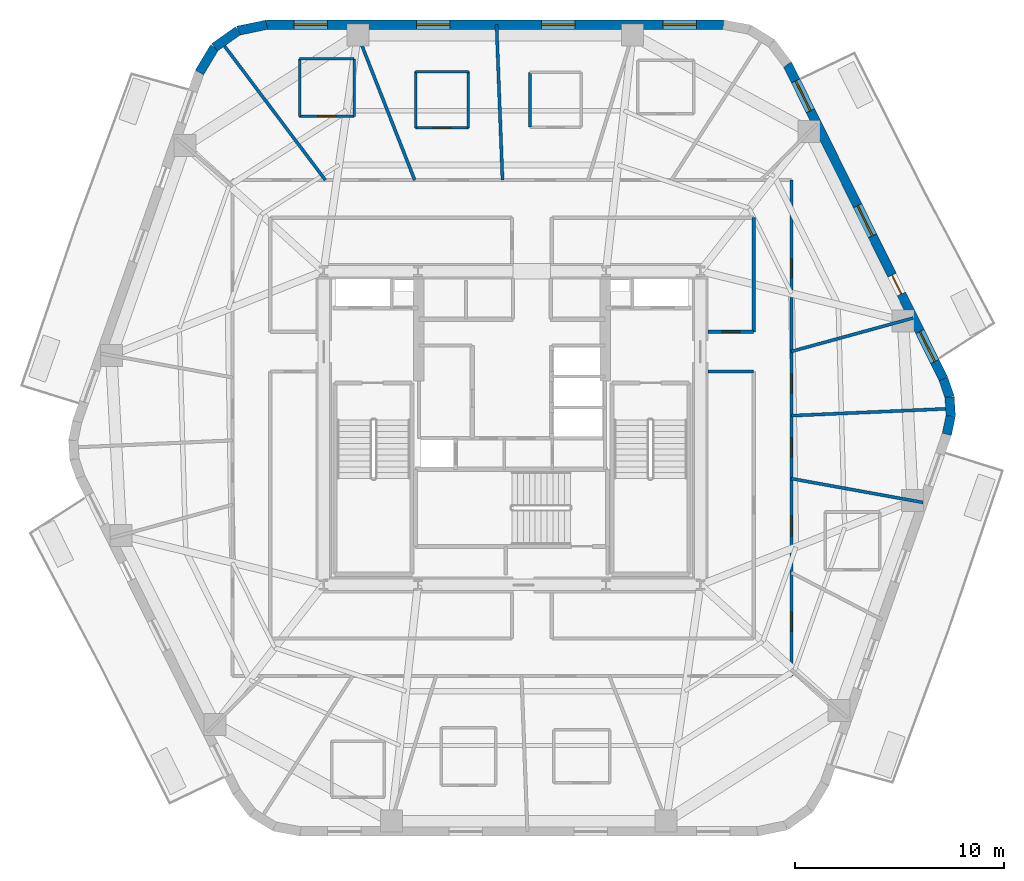
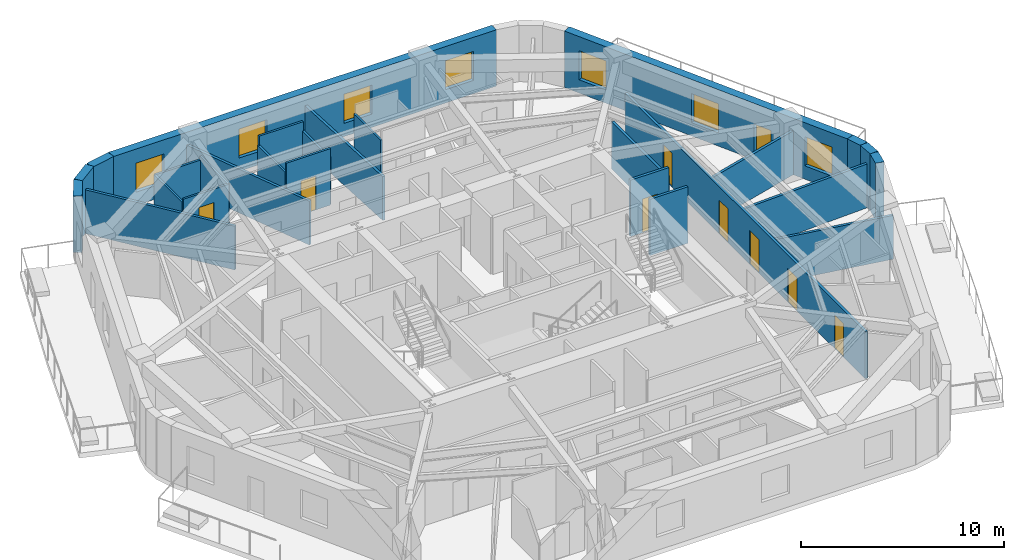
# One storey, part 6 of 10: 27 walls, 9 doors, 7 windows, 16 openings.
"""IFC4 building model written with IfcOpenShell, lengths in metres."""

from ifc_helpers import new_model, si_unit, direction, frame, frame_2d, origin, place, context, subcontext, project, spatial, rectangle, extrude, material, layer, layer_set, type_object, element, fill, save


model = new_model("IFC4")

# Units and contexts
model_context = context("Model", 3, precision=1e-05, world=origin(), true_north=direction((0.0, 1.0)))
body_context = subcontext(model_context, "Body", "Model", "MODEL_VIEW")
ifc_project = project(units=[si_unit("LENGTHUNIT", "METRE"), si_unit("AREAUNIT", "SQUARE_METRE"), si_unit("VOLUMEUNIT", "CUBIC_METRE"), si_unit("PLANEANGLEUNIT", "RADIAN"), si_unit("MASSUNIT", "GRAM", prefix="KILO")], contexts=[model_context])

# Site, building, storey
site_placement = place(None, origin())
site = spatial("IfcSite", under=ifc_project, at=site_placement, CompositionType="ELEMENT")
building_placement = place(site_placement, origin())
building = spatial("IfcBuilding", under=site, at=building_placement, Name="Kilnhurst Terrace Hotel", CompositionType="ELEMENT")
storey_placement = place(building_placement, frame((0.0, 0.0, 179.300048828125)))
storey = spatial("IfcBuildingStorey", under=building, at=storey_placement, Name="L44", CompositionType="ELEMENT", Elevation=179.300048828125)

# Walls
ifc_material_1 = material(Name="Precast concrete C40/50", Category="concrete")
ifc_layer_1 = layer(ifc_material_1, 0.449951171875, Name="Precast concrete C40/50")
ifc_layer_set_1 = layer_set([ifc_layer_1], Name="Precast concrete C40/50")
wall_type_1 = type_object("IfcWallType", Name="WL-BRK-450", PredefinedType="SOLIDWALL", material=ifc_layer_set_1)
wall_1_placement = place(storey_placement, frame((20.78173828125, -0.298095703125, 0.0), z_axis=(0.0, 0.0, 1.0), x_axis=(0.202570068411, 0.979267771033, 0.0)))
element("IfcWall", 1, at=wall_1_placement, inside=storey, type_object=wall_type_1, Name="L44 Rounded Corner Brick Wall C3.1", PredefinedType="SOLIDWALL", context=body_context, shape_type="SweptSolid", body=[
    extrude(rectangle(XDim=0.90869140625, YDim=0.449951171875, at=frame_2d((0.454345703125, 0.0))), origin(), (0.0, 0.0, 1.0), 3.39990234375),
])
wall_2_placement = place(storey_placement, frame((20.9658203125, 0.591796875, 0.0), z_axis=(0.0, 0.0, 1.0), x_axis=(-0.061748898935, 0.998091715966, 0.0)))
element("IfcWall", 2, at=wall_2_placement, inside=storey, type_object=wall_type_1, Name="L44 Rounded Corner Brick Wall C3.2", PredefinedType="SOLIDWALL", context=body_context, shape_type="SweptSolid", body=[
    extrude(rectangle(XDim=0.8935546875, YDim=0.449951171875, at=frame_2d((0.44677734375, 0.0))), origin(), (0.0, 0.0, 1.0), 3.39990234375),
])
wall_3_placement = place(storey_placement, frame((20.91064453125, 1.483642578125, 0.0), z_axis=(0.0, 0.0, 1.0), x_axis=(-0.321623334353, 0.946867694453, 0.0)))
element("IfcWall", 3, at=wall_3_placement, inside=storey, type_object=wall_type_1, Name="L44 Rounded Corner Brick Wall C3.3", PredefinedType="SOLIDWALL", context=body_context, shape_type="SweptSolid", body=[
    extrude(rectangle(XDim=0.90869140625, YDim=0.449951171875, at=frame_2d((0.454345703125, 0.0))), origin(), (0.0, 0.0, 1.0), 3.39990234375),
])
wall_4_placement = place(storey_placement, frame((-11.720458984375, 19.27490234375, 0.0), z_axis=(0.0, 0.0, 1.0), x_axis=(-0.97893106758, -0.204191001093, 0.0)))
element("IfcWall", 4, at=wall_4_placement, inside=storey, type_object=wall_type_1, Name="L44 Rounded Corner Brick Wall C5.1", PredefinedType="SOLIDWALL", context=body_context, shape_type="SweptSolid", body=[
    extrude(rectangle(XDim=1.400146484375, YDim=0.449951171875, at=frame_2d((0.7001953125, 0.0))), origin(), (0.0, 0.0, 1.0), 3.39990234375),
])
wall_5_placement = place(storey_placement, frame((-13.091064453125, 18.989013671875, 0.0), z_axis=(0.0, 0.0, 1.0), x_axis=(-0.815574637848, -0.578651890258, 0.0)))
element("IfcWall", 5, at=wall_5_placement, inside=storey, type_object=wall_type_1, Name="L44 Rounded Corner Brick Wall C5.2", PredefinedType="SOLIDWALL", context=body_context, shape_type="SweptSolid", body=[
    extrude(rectangle(XDim=1.376708984375, YDim=0.449951171875, at=frame_2d((0.6884765625, 0.0))), origin(), (0.0, 0.0, 1.0), 3.39990234375),
])
wall_6_placement = place(storey_placement, frame((-14.2138671875, 18.1923828125, 0.0), z_axis=(0.0, 0.0, 1.0), x_axis=(-0.516340945502, -0.856383108193, 0.0)))
element("IfcWall", 6, at=wall_6_placement, inside=storey, type_object=wall_type_1, Name="L44 Rounded Corner Brick Wall C5.3", PredefinedType="SOLIDWALL", context=body_context, shape_type="SweptSolid", body=[
    extrude(rectangle(XDim=1.400146484375, YDim=0.449951171875, at=frame_2d((0.7001953125, 0.0))), origin(), (0.0, 0.0, 1.0), 3.39990234375),
])

# Wall, openings, door, windows
wall_7_placement = place(storey_placement, frame((20.618408203125, 2.343994140625, 0.0), z_axis=(0.0, 0.0, 1.0), x_axis=(-0.444243691097, 0.895905990002, 0.0)))
wall_7 = element("IfcWall", 7, at=wall_7_placement, inside=storey, type_object=wall_type_1, Name="L44 Exterior Brick Facade Wall F3", PredefinedType="SOLIDWALL", context=body_context, shape_type="SweptSolid", body=[
    extrude(rectangle(XDim=16.78369140625, YDim=0.449951171875, at=frame_2d((8.391845703125, 0.0))), origin(), (0.0, 0.0, 1.0), 3.39990234375),
])
opening_1_placement = place(wall_7_placement, frame((4.534912109375, 0.0, 0.0)))
opening_1 = element("IfcOpeningElement", 8, at=opening_1_placement, cuts=wall_7, Name="Opening BD-1000", PredefinedType="OPENING", context=body_context, shape_type="SweptSolid", body=[
    extrude(rectangle(XDim=1.0, YDim=2.14990234375, at=frame_2d((0.5, 1.074951171875))), frame((0.0, 0.23486328125, 0.0), z_axis=(0.0, -1.0, 0.0), x_axis=(1.0, 0.0, 0.0)), (0.0, 0.0, 1.0), 0.469970703125),
])
opening_2_placement = place(wall_7_placement, frame((0.930908203125, 0.0, 0.800048828125)))
opening_2 = element("IfcOpeningElement", 9, at=opening_2_placement, cuts=wall_7, Name="Opening W-05", PredefinedType="OPENING", context=body_context, shape_type="SweptSolid", body=[
    extrude(rectangle(XDim=1.60009765625, YDim=1.75, at=frame_2d((0.800048828125, 0.875))), frame((0.0, 0.23486328125, 0.0), z_axis=(0.0, -1.0, 0.0), x_axis=(1.0, 0.0, 0.0)), (0.0, 0.0, 1.0), 0.469970703125),
])
opening_3_placement = place(wall_7_placement, frame((7.64208984375, 0.0, 0.800048828125)))
opening_3 = element("IfcOpeningElement", 10, at=opening_3_placement, cuts=wall_7, Name="Opening W-05", PredefinedType="OPENING", context=body_context, shape_type="SweptSolid", body=[
    extrude(rectangle(XDim=1.60009765625, YDim=1.75, at=frame_2d((0.800048828125, 0.875))), frame((0.0, 0.23486328125, 0.0), z_axis=(0.0, -1.0, 0.0), x_axis=(1.0, 0.0, 0.0)), (0.0, 0.0, 1.0), 0.469970703125),
])
opening_4_placement = place(wall_7_placement, frame((14.302978515625, 0.0, 0.800048828125)))
opening_4 = element("IfcOpeningElement", 11, at=opening_4_placement, cuts=wall_7, Name="Opening W-05", PredefinedType="OPENING", context=body_context, shape_type="SweptSolid", body=[
    extrude(rectangle(XDim=1.60009765625, YDim=1.75, at=frame_2d((0.800048828125, 0.875))), frame((0.0, 0.23486328125, 0.0), z_axis=(0.0, -1.0, 0.0), x_axis=(1.0, 0.0, 0.0)), (0.0, 0.0, 1.0), 0.469970703125),
])
ifc_material_2 = material(Name="Thermally Broken Bronze Aluminium Alloy 6063-T6 and Laminated Glass", Category="aluminium")
door_type_1 = type_object("IfcDoorType", Name="DR-EXT-BAL-1000", OperationType="NOTDEFINED", PredefinedType="DOOR", material=ifc_material_2)
door_1_placement = place(opening_1_placement, origin())
door_1 = element("IfcDoor", 12, at=door_1_placement, inside=storey, type_object=door_type_1, Name="L44 Planted Balcony Door BAL-L1B", OperationType="SINGLE_SWING_LEFT", OverallHeight=2.14990234375, OverallWidth=1.0, PredefinedType="DOOR", context=body_context, shape_type="SweptSolid", body=[
    extrude(rectangle(XDim=1.0, YDim=2.14990234375, at=frame_2d((0.5, 1.074951171875))), frame((0.0, 0.02490234375, 0.0), z_axis=(0.0, -1.0, 0.0), x_axis=(1.0, 0.0, 0.0)), (0.0, 0.0, 1.0), 0.050048828125),
])
fill(opening_1, door_1)
ifc_material_3 = material(Name="Thermally Broken Bronze Aluminium Alloy 6063-T6 and Low-E Glass", Category="aluminium")
window_type = type_object("IfcWindowType", Name="WIN-1600X1750", PartitioningType="SINGLE_PANEL", PredefinedType="WINDOW", material=ifc_material_3)
window_1_placement = place(opening_2_placement, origin())
window_1 = element("IfcWindow", 13, at=window_1_placement, inside=storey, type_object=window_type, Name="L44 Deep-Set Masonry Window F3.1", OverallHeight=1.75, OverallWidth=1.60009765625, PartitioningType="SINGLE_PANEL", PredefinedType="WINDOW", context=body_context, shape_type="SweptSolid", body=[
    extrude(rectangle(XDim=1.60009765625, YDim=1.75, at=frame_2d((0.800048828125, 0.875))), frame((0.0, 0.030029296875, 0.0), z_axis=(0.0, -1.0, 0.0), x_axis=(1.0, 0.0, 0.0)), (0.0, 0.0, 1.0), 0.06005859375),
])
fill(opening_2, window_1)
window_2_placement = place(opening_3_placement, origin())
window_2 = element("IfcWindow", 14, at=window_2_placement, inside=storey, type_object=window_type, Name="L44 Deep-Set Masonry Window F3.2", OverallHeight=1.75, OverallWidth=1.60009765625, PartitioningType="SINGLE_PANEL", PredefinedType="WINDOW", context=body_context, shape_type="SweptSolid", body=[
    extrude(rectangle(XDim=1.60009765625, YDim=1.75, at=frame_2d((0.800048828125, 0.875))), frame((0.0, 0.030029296875, 0.0), z_axis=(0.0, -1.0, 0.0), x_axis=(1.0, 0.0, 0.0)), (0.0, 0.0, 1.0), 0.06005859375),
])
fill(opening_3, window_2)
window_3_placement = place(opening_4_placement, origin())
window_3 = element("IfcWindow", 15, at=window_3_placement, inside=storey, type_object=window_type, Name="L44 Deep-Set Masonry Window F3.3", OverallHeight=1.75, OverallWidth=1.60009765625, PartitioningType="SINGLE_PANEL", PredefinedType="WINDOW", context=body_context, shape_type="SweptSolid", body=[
    extrude(rectangle(XDim=1.60009765625, YDim=1.75, at=frame_2d((0.800048828125, 0.875))), frame((0.0, 0.030029296875, 0.0), z_axis=(0.0, -1.0, 0.0), x_axis=(1.0, 0.0, 0.0)), (0.0, 0.0, 1.0), 0.06005859375),
])
fill(opening_4, window_3)

# Wall, openings, windows
wall_8_placement = place(storey_placement, frame((10.1083984375, 19.27490234375, 0.0), z_axis=(0.0, 0.0, 1.0), x_axis=(-1.0, 0.0, 0.0)))
wall_8 = element("IfcWall", 16, at=wall_8_placement, inside=storey, type_object=wall_type_1, Name="L44 Exterior Brick Facade Wall F4", PredefinedType="SOLIDWALL", context=body_context, shape_type="SweptSolid", body=[
    extrude(rectangle(XDim=21.828857421875, YDim=0.449951171875, at=frame_2d((10.91455078125, 0.0))), origin(), (0.0, 0.0, 1.0), 3.39990234375),
])
opening_5_placement = place(wall_8_placement, frame((1.297119140625, 0.0, 0.800048828125)))
opening_5 = element("IfcOpeningElement", 17, at=opening_5_placement, cuts=wall_8, Name="Opening W-05", PredefinedType="OPENING", context=body_context, shape_type="SweptSolid", body=[
    extrude(rectangle(XDim=1.60009765625, YDim=1.75, at=frame_2d((0.800048828125, 0.875))), frame((0.0, 0.23486328125, 0.0), z_axis=(0.0, -1.0, 0.0), x_axis=(1.0, 0.0, 0.0)), (0.0, 0.0, 1.0), 0.469970703125),
])
opening_6_placement = place(wall_8_placement, frame((7.090087890625, 0.0, 0.800048828125)))
opening_6 = element("IfcOpeningElement", 18, at=opening_6_placement, cuts=wall_8, Name="Opening W-05", PredefinedType="OPENING", context=body_context, shape_type="SweptSolid", body=[
    extrude(rectangle(XDim=1.60009765625, YDim=1.75, at=frame_2d((0.800048828125, 0.875))), frame((0.0, 0.23486328125, 0.0), z_axis=(0.0, -1.0, 0.0), x_axis=(1.0, 0.0, 0.0)), (0.0, 0.0, 1.0), 0.469970703125),
])
opening_7_placement = place(wall_8_placement, frame((13.072021484375, 0.0, 0.800048828125)))
opening_7 = element("IfcOpeningElement", 19, at=opening_7_placement, cuts=wall_8, Name="Opening W-05", PredefinedType="OPENING", context=body_context, shape_type="SweptSolid", body=[
    extrude(rectangle(XDim=1.60009765625, YDim=1.75, at=frame_2d((0.800048828125, 0.875))), frame((0.0, 0.23486328125, 0.0), z_axis=(0.0, -1.0, 0.0), x_axis=(1.0, 0.0, 0.0)), (0.0, 0.0, 1.0), 0.469970703125),
])
opening_8_placement = place(wall_8_placement, frame((18.93310546875, 0.0, 0.800048828125)))
opening_8 = element("IfcOpeningElement", 20, at=opening_8_placement, cuts=wall_8, Name="Opening W-05", PredefinedType="OPENING", context=body_context, shape_type="SweptSolid", body=[
    extrude(rectangle(XDim=1.60009765625, YDim=1.75, at=frame_2d((0.800048828125, 0.875))), frame((0.0, 0.23486328125, 0.0), z_axis=(0.0, -1.0, 0.0), x_axis=(1.0, 0.0, 0.0)), (0.0, 0.0, 1.0), 0.469970703125),
])
window_4_placement = place(opening_5_placement, origin())
window_4 = element("IfcWindow", 21, at=window_4_placement, inside=storey, type_object=window_type, Name="L44 Deep-Set Masonry Window F4.1", OverallHeight=1.75, OverallWidth=1.60009765625, PartitioningType="SINGLE_PANEL", PredefinedType="WINDOW", context=body_context, shape_type="SweptSolid", body=[
    extrude(rectangle(XDim=1.60009765625, YDim=1.75, at=frame_2d((0.800048828125, 0.875))), frame((0.0, 0.030029296875, 0.0), z_axis=(0.0, -1.0, 0.0), x_axis=(1.0, 0.0, 0.0)), (0.0, 0.0, 1.0), 0.06005859375),
])
fill(opening_5, window_4)
window_5_placement = place(opening_6_placement, origin())
window_5 = element("IfcWindow", 22, at=window_5_placement, inside=storey, type_object=window_type, Name="L44 Deep-Set Masonry Window F4.2", OverallHeight=1.75, OverallWidth=1.60009765625, PartitioningType="SINGLE_PANEL", PredefinedType="WINDOW", context=body_context, shape_type="SweptSolid", body=[
    extrude(rectangle(XDim=1.60009765625, YDim=1.75, at=frame_2d((0.800048828125, 0.875))), frame((0.0, 0.030029296875, 0.0), z_axis=(0.0, -1.0, 0.0), x_axis=(1.0, 0.0, 0.0)), (0.0, 0.0, 1.0), 0.06005859375),
])
fill(opening_6, window_5)
window_6_placement = place(opening_7_placement, origin())
window_6 = element("IfcWindow", 23, at=window_6_placement, inside=storey, type_object=window_type, Name="L44 Deep-Set Masonry Window F4.3", OverallHeight=1.75, OverallWidth=1.60009765625, PartitioningType="SINGLE_PANEL", PredefinedType="WINDOW", context=body_context, shape_type="SweptSolid", body=[
    extrude(rectangle(XDim=1.60009765625, YDim=1.75, at=frame_2d((0.800048828125, 0.875))), frame((0.0, 0.030029296875, 0.0), z_axis=(0.0, -1.0, 0.0), x_axis=(1.0, 0.0, 0.0)), (0.0, 0.0, 1.0), 0.06005859375),
])
fill(opening_7, window_6)
window_7_placement = place(opening_8_placement, origin())
window_7 = element("IfcWindow", 24, at=window_7_placement, inside=storey, type_object=window_type, Name="L44 Deep-Set Masonry Window F4.4", OverallHeight=1.75, OverallWidth=1.60009765625, PartitioningType="SINGLE_PANEL", PredefinedType="WINDOW", context=body_context, shape_type="SweptSolid", body=[
    extrude(rectangle(XDim=1.60009765625, YDim=1.75, at=frame_2d((0.800048828125, 0.875))), frame((0.0, 0.030029296875, 0.0), z_axis=(0.0, -1.0, 0.0), x_axis=(1.0, 0.0, 0.0)), (0.0, 0.0, 1.0), 0.06005859375),
])
fill(opening_8, window_7)

# Wall, openings, doors
ifc_material_4 = material(Name="Acoustic Double-Gypsum Corridor Partition Assembly")
ifc_layer_2 = layer(ifc_material_4, 0.14990234375, Name="Acoustic Double-Gypsum Corridor Partition Assembly")
ifc_layer_set_2 = layer_set([ifc_layer_2], Name="Acoustic Double-Gypsum Corridor Partition Assembly")
wall_type_2 = type_object("IfcWallType", Name="WL-COR-150", PredefinedType="PARTITIONING", material=ifc_layer_set_2)
wall_9_placement = place(storey_placement, frame((13.35009765625, 11.85009765625, 0.0), z_axis=(0.0, 0.0, 1.0), x_axis=(0.0, -1.0, 0.0)))
wall_9 = element("IfcWall", 25, at=wall_9_placement, inside=storey, type_object=wall_type_2, Name="L44 Interior Wall WL-L44-COR-04", PredefinedType="PARTITIONING", context=body_context, shape_type="SweptSolid", body=[
    extrude(rectangle(XDim=23.7001953125, YDim=0.14990234375, at=frame_2d((11.85009765625, 0.0))), origin(), (0.0, 0.0, 1.0), 2.83984375),
])
opening_9_placement = place(wall_9_placement, frame((9.27001953125, 0.0, 0.0)))
opening_9 = element("IfcOpeningElement", 26, at=opening_9_placement, cuts=wall_9, Name="Opening D-60C", PredefinedType="OPENING", context=body_context, shape_type="SweptSolid", body=[
    extrude(rectangle(XDim=0.89990234375, YDim=2.030029296875, at=frame_2d((0.449951171875, 1.01513671875))), frame((0.0, 0.0849609375, 0.0), z_axis=(0.0, -1.0, 0.0), x_axis=(1.0, 0.0, 0.0)), (0.0, 0.0, 1.0), 0.169921875),
])
opening_10_placement = place(wall_9_placement, frame((3.764892578125, 0.0, 0.0)))
opening_10 = element("IfcOpeningElement", 27, at=opening_10_placement, cuts=wall_9, Name="Opening D-60C", PredefinedType="OPENING", context=body_context, shape_type="SweptSolid", body=[
    extrude(rectangle(XDim=0.89990234375, YDim=2.030029296875, at=frame_2d((0.449951171875, 1.01513671875))), frame((0.0, 0.0849609375, 0.0), z_axis=(0.0, -1.0, 0.0), x_axis=(1.0, 0.0, 0.0)), (0.0, 0.0, 1.0), 0.169921875),
])
opening_11_placement = place(wall_9_placement, frame((20.662109375, 0.0, 0.0)))
opening_11 = element("IfcOpeningElement", 28, at=opening_11_placement, cuts=wall_9, Name="Opening D-60C", PredefinedType="OPENING", context=body_context, shape_type="SweptSolid", body=[
    extrude(rectangle(XDim=0.89990234375, YDim=2.030029296875, at=frame_2d((0.449951171875, 1.01513671875))), frame((0.0, 0.0849609375, 0.0), z_axis=(0.0, -1.0, 0.0), x_axis=(1.0, 0.0, 0.0)), (0.0, 0.0, 1.0), 0.169921875),
])
opening_12_placement = place(wall_9_placement, frame((16.054931640625, 0.0, 0.0)))
opening_12 = element("IfcOpeningElement", 29, at=opening_12_placement, cuts=wall_9, Name="Opening D-60B", PredefinedType="OPENING", context=body_context, shape_type="SweptSolid", body=[
    extrude(rectangle(XDim=0.949951171875, YDim=2.030029296875, at=frame_2d((0.47509765625, 1.01513671875))), frame((0.0, 0.0849609375, 0.0), z_axis=(0.0, -1.0, 0.0), x_axis=(1.0, 0.0, 0.0)), (0.0, 0.0, 1.0), 0.169921875),
])
opening_13_placement = place(wall_9_placement, frame((12.31494140625, 0.0, 0.0)))
opening_13 = element("IfcOpeningElement", 30, at=opening_13_placement, cuts=wall_9, Name="Opening D-60C", PredefinedType="OPENING", context=body_context, shape_type="SweptSolid", body=[
    extrude(rectangle(XDim=0.89990234375, YDim=2.030029296875, at=frame_2d((0.449951171875, 1.01513671875))), frame((0.0, 0.0849609375, 0.0), z_axis=(0.0, -1.0, 0.0), x_axis=(1.0, 0.0, 0.0)), (0.0, 0.0, 1.0), 0.169921875),
])
ifc_material_5 = material(Name="Painted Solid-Core Service Fire Door")
door_type_2 = type_object("IfcDoorType", Name="DR-FD60-900", OperationType="NOTDEFINED", PredefinedType="DOOR", material=ifc_material_5)
door_2_placement = place(opening_9_placement, origin())
door_2 = element("IfcDoor", 31, at=door_2_placement, inside=storey, type_object=door_type_2, Name="L44 Private Study Salon Door 1", OperationType="SINGLE_SWING_LEFT", OverallHeight=2.030029296875, OverallWidth=0.89990234375, PredefinedType="DOOR", context=body_context, shape_type="SweptSolid", body=[
    extrude(rectangle(XDim=0.89990234375, YDim=2.030029296875, at=frame_2d((0.449951171875, 1.01513671875))), frame((0.0, 0.02490234375, 0.0), z_axis=(0.0, -1.0, 0.0), x_axis=(1.0, 0.0, 0.0)), (0.0, 0.0, 1.0), 0.050048828125),
])
fill(opening_9, door_2)
door_3_placement = place(opening_10_placement, origin())
door_3 = element("IfcDoor", 32, at=door_3_placement, inside=storey, type_object=door_type_2, Name="L44 Executive Work Office Door 2", OperationType="SINGLE_SWING_RIGHT", OverallHeight=2.030029296875, OverallWidth=0.89990234375, PredefinedType="DOOR", context=body_context, shape_type="SweptSolid", body=[
    extrude(rectangle(XDim=0.89990234375, YDim=2.030029296875, at=frame_2d((0.449951171875, 1.01513671875))), frame((0.0, 0.02490234375, 0.0), z_axis=(0.0, -1.0, 0.0), x_axis=(1.0, 0.0, 0.0)), (0.0, 0.0, 1.0), 0.050048828125),
])
fill(opening_10, door_3)
door_4_placement = place(opening_11_placement, origin())
door_4 = element("IfcDoor", 33, at=door_4_placement, inside=storey, type_object=door_type_2, Name="L44 Botanical Reading Lounge Door 18", OperationType="SINGLE_SWING_RIGHT", OverallHeight=2.030029296875, OverallWidth=0.89990234375, PredefinedType="DOOR", context=body_context, shape_type="SweptSolid", body=[
    extrude(rectangle(XDim=0.89990234375, YDim=2.030029296875, at=frame_2d((0.449951171875, 1.01513671875))), frame((0.0, 0.02490234375, 0.0), z_axis=(0.0, -1.0, 0.0), x_axis=(1.0, 0.0, 0.0)), (0.0, 0.0, 1.0), 0.050048828125),
])
fill(opening_11, door_4)
door_5_placement = place(opening_13_placement, origin())
door_5 = element("IfcDoor", 34, at=door_5_placement, inside=storey, type_object=door_type_2, Name="L44 Private Meeting Salon Door 20", OperationType="SINGLE_SWING_RIGHT", OverallHeight=2.030029296875, OverallWidth=0.89990234375, PredefinedType="DOOR", context=body_context, shape_type="SweptSolid", body=[
    extrude(rectangle(XDim=0.89990234375, YDim=2.030029296875, at=frame_2d((0.449951171875, 1.01513671875))), frame((0.0, 0.02490234375, 0.0), z_axis=(0.0, -1.0, 0.0), x_axis=(1.0, 0.0, 0.0)), (0.0, 0.0, 1.0), 0.050048828125),
])
fill(opening_13, door_5)
ifc_material_6 = material(Name="Acoustic Walnut Veneer Solid-Core Fire Door")
door_type_3 = type_object("IfcDoorType", Name="DR-FD60-950", OperationType="NOTDEFINED", PredefinedType="DOOR", material=ifc_material_6)
door_6_placement = place(opening_12_placement, origin())
door_6 = element("IfcDoor", 35, at=door_6_placement, inside=storey, type_object=door_type_3, Name="L44 Guest Room Entry Door 19", OperationType="SINGLE_SWING_LEFT", OverallHeight=2.030029296875, OverallWidth=0.949951171875, PredefinedType="DOOR", context=body_context, shape_type="SweptSolid", body=[
    extrude(rectangle(XDim=0.949951171875, YDim=2.030029296875, at=frame_2d((0.47509765625, 1.01513671875))), frame((0.0, 0.02490234375, 0.0), z_axis=(0.0, -1.0, 0.0), x_axis=(1.0, 0.0, 0.0)), (0.0, 0.0, 1.0), 0.050048828125),
])
fill(opening_12, door_6)

# Wall
wall_10_placement = place(storey_placement, frame((11.550048828125, 2.699951171875, 0.0), z_axis=(0.0, 0.0, 1.0), x_axis=(-1.0, 0.0, 0.0)))
element("IfcWall", 36, at=wall_10_placement, inside=storey, type_object=wall_type_2, Name="L44 Interior Wall WL-L44-COR-06", PredefinedType="PARTITIONING", context=body_context, shape_type="SweptSolid", body=[
    extrude(rectangle(XDim=2.175048828125, YDim=0.14990234375, at=frame_2d((1.08740234375, 0.0))), origin(), (0.0, 0.0, 1.0), 3.39990234375),
])

# Wall, opening, door
wall_11_placement = place(storey_placement, frame((9.375, 4.60009765625, 0.0), z_axis=(0.0, 0.0, 1.0), x_axis=(1.0, 0.0, 0.0)))
wall_11 = element("IfcWall", 37, at=wall_11_placement, inside=storey, type_object=wall_type_2, Name="L44 Interior Wall WL-L44-COR-07", PredefinedType="PARTITIONING", context=body_context, shape_type="SweptSolid", body=[
    extrude(rectangle(XDim=2.175048828125, YDim=0.14990234375, at=frame_2d((1.08740234375, 0.0))), origin(), (0.0, 0.0, 1.0), 3.39990234375),
])
opening_14_placement = place(wall_11_placement, frame((0.6630859375, 0.0, 0.0)))
opening_14 = element("IfcOpeningElement", 38, at=opening_14_placement, cuts=wall_11, Name="Opening D-60D", PredefinedType="OPENING", context=body_context, shape_type="SweptSolid", body=[
    extrude(rectangle(XDim=0.85009765625, YDim=2.030029296875, at=frame_2d((0.425048828125, 1.01513671875))), frame((0.0, 0.0849609375, 0.0), z_axis=(0.0, -1.0, 0.0), x_axis=(1.0, 0.0, 0.0)), (0.0, 0.0, 1.0), 0.169921875),
])
ifc_material_7 = material(Name="Painted Hollow Metal Steel ASTM A36 Riser Door", Category="steel")
door_type_4 = type_object("IfcDoorType", Name="DR-FD60-850", OperationType="NOTDEFINED", PredefinedType="DOOR", material=ifc_material_7)
door_7_placement = place(opening_14_placement, origin())
door_7 = element("IfcDoor", 39, at=door_7_placement, inside=storey, type_object=door_type_4, Name="L44 Floor Beverage Service Room Door", OperationType="SINGLE_SWING_LEFT", OverallHeight=2.030029296875, OverallWidth=0.85009765625, PredefinedType="DOOR", context=body_context, shape_type="SweptSolid", body=[
    extrude(rectangle(XDim=0.85009765625, YDim=2.030029296875, at=frame_2d((0.425048828125, 1.01513671875))), frame((0.0, 0.02490234375, 0.0), z_axis=(0.0, -1.0, 0.0), x_axis=(1.0, 0.0, 0.0)), (0.0, 0.0, 1.0), 0.050048828125),
])
fill(opening_14, door_7)

# Walls
wall_12_placement = place(storey_placement, frame((11.550048828125, 4.60009765625, 0.0), z_axis=(0.0, 0.0, 1.0), x_axis=(0.0, 1.0, 0.0)))
element("IfcWall", 40, at=wall_12_placement, inside=storey, type_object=wall_type_2, Name="L44 Interior Wall WL-L44-COR-08", PredefinedType="PARTITIONING", context=body_context, shape_type="SweptSolid", body=[
    extrude(rectangle(XDim=5.449951171875, YDim=0.14990234375, at=frame_2d((2.72509765625, 0.0))), origin(), (0.0, 0.0, 1.0), 2.83984375),
])
ifc_material_8 = material(Name="STC-58 Acoustic Twin-Frame Guestroom Demising Partition")
ifc_layer_3 = layer(ifc_material_8, 0.14990234375, Name="STC-58 Acoustic Twin-Frame Guestroom Demising Partition")
ifc_layer_set_3 = layer_set([ifc_layer_3], Name="STC-58 Acoustic Twin-Frame Guestroom Demising Partition")
wall_type_3 = type_object("IfcWallType", Name="WL-DEM-150", PredefinedType="PARTITIONING", material=ifc_layer_set_3)
wall_13_placement = place(storey_placement, frame((13.35009765625, 0.591064453125, 0.0), z_axis=(0.0, 0.0, 1.0), x_axis=(0.999020359631, 0.044252921296, 0.0)))
element("IfcWall", 41, at=wall_13_placement, inside=storey, type_object=wall_type_3, Name="L44 Interior Wall WL-L44-DEM-MID12-01-1", PredefinedType="PARTITIONING", context=body_context, shape_type="SweptSolid", body=[
    extrude(rectangle(XDim=7.4423828125, YDim=0.14990234375, at=frame_2d((3.72119140625, 0.0))), origin(), (0.0, 0.0, 1.0), 2.639892578125),
])
wall_14_placement = place(storey_placement, frame((13.35009765625, 3.66064453125, 0.0), z_axis=(0.0, 0.0, 1.0), x_axis=(0.964397145454, 0.264458211898, 0.0)))
element("IfcWall", 42, at=wall_14_placement, inside=storey, type_object=wall_type_3, Name="L44 Interior Wall WL-L44-DEM-COL01-02-1", PredefinedType="PARTITIONING", context=body_context, shape_type="SweptSolid", body=[
    extrude(rectangle(XDim=6.03857421875, YDim=0.14990234375, at=frame_2d((3.019287109375, 0.0))), origin(), (0.0, 0.0, 1.0), 2.639892578125),
])
wall_15_placement = place(storey_placement, frame((-0.453857421875, 11.85009765625, 0.0), z_axis=(0.0, 0.0, 1.0), x_axis=(-0.038279171143, 0.999267083945, 0.0)))
element("IfcWall", 43, at=wall_15_placement, inside=storey, type_object=wall_type_3, Name="L44 Interior Wall WL-L44-DEM-MID03-06-1", PredefinedType="PARTITIONING", context=body_context, shape_type="SweptSolid", body=[
    extrude(rectangle(XDim=7.43017578125, YDim=0.14990234375, at=frame_2d((3.715087890625, 0.0))), origin(), (0.0, 0.0, 1.0), 2.639892578125),
])
wall_16_placement = place(storey_placement, frame((-4.64990234375, 11.85009765625, 0.0), z_axis=(0.0, 0.0, 1.0), x_axis=(-0.365265947993, 0.930903210456, 0.0)))
element("IfcWall", 44, at=wall_16_placement, inside=storey, type_object=wall_type_3, Name="L44 Interior Wall WL-L44-DEM-COL04-07-1", PredefinedType="PARTITIONING", context=body_context, shape_type="SweptSolid", body=[
    extrude(rectangle(XDim=7.975830078125, YDim=0.14990234375, at=frame_2d((3.98779296875, 0.0))), origin(), (0.0, 0.0, 1.0), 2.639892578125),
])
wall_17_placement = place(storey_placement, frame((-8.91845703125, 11.85009765625, 0.0), z_axis=(0.0, 0.0, 1.0), x_axis=(-0.601347965064, 0.798987249531, 0.0)))
element("IfcWall", 45, at=wall_17_placement, inside=storey, type_object=wall_type_3, Name="L44 Interior Wall WL-L44-DEM-MID04-08-1", PredefinedType="PARTITIONING", context=body_context, shape_type="SweptSolid", body=[
    extrude(rectangle(XDim=8.080078125, YDim=0.14990234375, at=frame_2d((4.0400390625, 0.0))), origin(), (0.0, 0.0, 1.0), 2.639892578125),
])
wall_18_placement = place(storey_placement, frame((13.35009765625, -2.417236328125, 0.0), z_axis=(0.0, 0.0, 1.0), x_axis=(0.98399796473, -0.178179699761, 0.0)))
element("IfcWall", 46, at=wall_18_placement, inside=storey, type_object=wall_type_3, Name="L44 Interior Wall WL-L44-DEM-COL12-20-1", PredefinedType="PARTITIONING", context=body_context, shape_type="SweptSolid", body=[
    extrude(rectangle(XDim=6.393310546875, YDim=0.14990234375, at=frame_2d((3.19677734375, 0.0))), origin(), (0.0, 0.0, 1.0), 2.639892578125),
])
ifc_material_9 = material(Name="120 mm Moisture-Resistant Tile-Backed Bathroom Partition")
ifc_layer_4 = layer(ifc_material_9, 0.1201171875, Name="120 mm Moisture-Resistant Tile-Backed Bathroom Partition")
ifc_layer_set_4 = layer_set([ifc_layer_4], Name="120 mm Moisture-Resistant Tile-Backed Bathroom Partition")
wall_type_4 = type_object("IfcWallType", Name="WL-PART-120", PredefinedType="PARTITIONING", material=ifc_layer_set_4)
wall_19_placement = place(storey_placement, frame((0.860107421875, 16.992919921875, 0.0), z_axis=(0.0, 0.0, 1.0), x_axis=(0.0, -1.0, 0.0)))
element("IfcWall", 47, at=wall_19_placement, inside=storey, type_object=wall_type_4, Name="L44 Interior Wall WL-L44-BTH-05-4", PredefinedType="PARTITIONING", context=body_context, shape_type="SweptSolid", body=[
    extrude(rectangle(XDim=2.60986328125, YDim=0.1201171875, at=frame_2d((1.304931640625, 0.0))), origin(), (0.0, 0.0, 1.0), 2.84033203125),
])

# Wall, opening, door
wall_20_placement = place(storey_placement, frame((-4.60009765625, 14.347900390625, 0.0), z_axis=(0.0, 0.0, 1.0), x_axis=(1.0, 0.0, 0.0)))
wall_20 = element("IfcWall", 48, at=wall_20_placement, inside=storey, type_object=wall_type_4, Name="L44 Interior Wall WL-L44-BTH-06-1", PredefinedType="PARTITIONING", context=body_context, shape_type="SweptSolid", body=[
    extrude(rectangle(XDim=2.52001953125, YDim=0.1201171875, at=frame_2d((1.260009765625, 0.0))), origin(), (0.0, 0.0, 1.0), 3.39990234375),
])
opening_15_placement = place(wall_20_placement, frame((0.8349609375, 0.0, 0.0)))
opening_15 = element("IfcOpeningElement", 49, at=opening_15_placement, cuts=wall_20, Name="Opening D-08A", PredefinedType="OPENING", context=body_context, shape_type="SweptSolid", body=[
    extrude(rectangle(XDim=0.85009765625, YDim=2.030029296875, at=frame_2d((0.425048828125, 1.01513671875))), frame((0.0, 0.070068359375, 0.0), z_axis=(0.0, -1.0, 0.0), x_axis=(1.0, 0.0, 0.0)), (0.0, 0.0, 1.0), 0.14013671875),
])
ifc_material_10 = material(Name="Moisture-Resistant Lacquered En-suite Bathroom Door")
door_type_5 = type_object("IfcDoorType", Name="DR-INT-850", OperationType="NOTDEFINED", PredefinedType="DOOR", material=ifc_material_10)
door_8_placement = place(opening_15_placement, origin())
door_8 = element("IfcDoor", 50, at=door_8_placement, inside=storey, type_object=door_type_5, Name="L44 En-suite Bathroom Door 6", OperationType="SINGLE_SWING_LEFT", OverallHeight=2.030029296875, OverallWidth=0.85009765625, PredefinedType="DOOR", context=body_context, shape_type="SweptSolid", body=[
    extrude(rectangle(XDim=0.85009765625, YDim=2.030029296875, at=frame_2d((0.425048828125, 1.01513671875))), frame((0.0, 0.02490234375, 0.0), z_axis=(0.0, -1.0, 0.0), x_axis=(1.0, 0.0, 0.0)), (0.0, 0.0, 1.0), 0.050048828125),
])
fill(opening_15, door_8)

# Walls
wall_21_placement = place(storey_placement, frame((-2.080078125, 14.347900390625, 0.0), z_axis=(0.0, 0.0, 1.0), x_axis=(0.0, 1.0, 0.0)))
element("IfcWall", 51, at=wall_21_placement, inside=storey, type_object=wall_type_4, Name="L44 Interior Wall WL-L44-BTH-06-2", PredefinedType="PARTITIONING", context=body_context, shape_type="SweptSolid", body=[
    extrude(rectangle(XDim=2.68017578125, YDim=0.1201171875, at=frame_2d((1.340087890625, 0.0))), origin(), (0.0, 0.0, 1.0), 2.84033203125),
])
wall_22_placement = place(storey_placement, frame((-2.080078125, 17.028076171875, 0.0), z_axis=(0.0, 0.0, 1.0), x_axis=(-1.0, 0.0, 0.0)))
element("IfcWall", 52, at=wall_22_placement, inside=storey, type_object=wall_type_4, Name="L44 Interior Wall WL-L44-BTH-06-3", PredefinedType="PARTITIONING", context=body_context, shape_type="SweptSolid", body=[
    extrude(rectangle(XDim=2.52001953125, YDim=0.1201171875, at=frame_2d((1.260009765625, 0.0))), origin(), (0.0, 0.0, 1.0), 3.39990234375),
])
wall_23_placement = place(storey_placement, frame((-4.60009765625, 17.028076171875, 0.0), z_axis=(0.0, 0.0, 1.0), x_axis=(0.0, -1.0, 0.0)))
element("IfcWall", 53, at=wall_23_placement, inside=storey, type_object=wall_type_4, Name="L44 Interior Wall WL-L44-BTH-06-4", PredefinedType="PARTITIONING", context=body_context, shape_type="SweptSolid", body=[
    extrude(rectangle(XDim=2.68017578125, YDim=0.1201171875, at=frame_2d((1.340087890625, 0.0))), origin(), (0.0, 0.0, 1.0), 2.84033203125),
])

# Wall, opening, door
wall_24_placement = place(storey_placement, frame((-10.14697265625, 14.89111328125, 0.0), z_axis=(0.0, 0.0, 1.0), x_axis=(1.0, 0.0, 0.0)))
wall_24 = element("IfcWall", 54, at=wall_24_placement, inside=storey, type_object=wall_type_4, Name="L44 Interior Wall WL-L44-BTH-07-1", PredefinedType="PARTITIONING", context=body_context, shape_type="SweptSolid", body=[
    extrude(rectangle(XDim=2.599853515625, YDim=0.1201171875, at=frame_2d((1.2998046875, 0.0))), origin(), (0.0, 0.0, 1.0), 2.83984375),
])
opening_16_placement = place(wall_24_placement, frame((0.875, 0.0, 0.0)))
opening_16 = element("IfcOpeningElement", 55, at=opening_16_placement, cuts=wall_24, Name="Opening D-08A", PredefinedType="OPENING", context=body_context, shape_type="SweptSolid", body=[
    extrude(rectangle(XDim=0.85009765625, YDim=2.030029296875, at=frame_2d((0.425048828125, 1.01513671875))), frame((0.0, 0.070068359375, 0.0), z_axis=(0.0, -1.0, 0.0), x_axis=(1.0, 0.0, 0.0)), (0.0, 0.0, 1.0), 0.14013671875),
])
door_9_placement = place(opening_16_placement, origin())
door_9 = element("IfcDoor", 56, at=door_9_placement, inside=storey, type_object=door_type_5, Name="L44 En-suite Bathroom Door 7", OperationType="SINGLE_SWING_RIGHT", OverallHeight=2.030029296875, OverallWidth=0.85009765625, PredefinedType="DOOR", context=body_context, shape_type="SweptSolid", body=[
    extrude(rectangle(XDim=0.85009765625, YDim=2.030029296875, at=frame_2d((0.425048828125, 1.01513671875))), frame((0.0, 0.02490234375, 0.0), z_axis=(0.0, -1.0, 0.0), x_axis=(1.0, 0.0, 0.0)), (0.0, 0.0, 1.0), 0.050048828125),
])
fill(opening_16, door_9)

# Walls
wall_25_placement = place(storey_placement, frame((-7.547119140625, 14.89111328125, 0.0), z_axis=(0.0, 0.0, 1.0), x_axis=(0.0, 1.0, 0.0)))
element("IfcWall", 57, at=wall_25_placement, inside=storey, type_object=wall_type_4, Name="L44 Interior Wall WL-L44-BTH-07-2", PredefinedType="PARTITIONING", context=body_context, shape_type="SweptSolid", body=[
    extrude(rectangle(XDim=2.75, YDim=0.1201171875, at=frame_2d((1.375, 0.0))), origin(), (0.0, 0.0, 1.0), 2.83984375),
])
wall_26_placement = place(storey_placement, frame((-7.547119140625, 17.64111328125, 0.0), z_axis=(0.0, 0.0, 1.0), x_axis=(-1.0, 0.0, 0.0)))
element("IfcWall", 58, at=wall_26_placement, inside=storey, type_object=wall_type_4, Name="L44 Interior Wall WL-L44-BTH-07-3", PredefinedType="PARTITIONING", context=body_context, shape_type="SweptSolid", body=[
    extrude(rectangle(XDim=2.599853515625, YDim=0.1201171875, at=frame_2d((1.2998046875, 0.0))), origin(), (0.0, 0.0, 1.0), 2.639892578125),
])
wall_27_placement = place(storey_placement, frame((-10.14697265625, 17.64111328125, 0.0), z_axis=(0.0, 0.0, 1.0), x_axis=(0.0, -1.0, 0.0)))
element("IfcWall", 59, at=wall_27_placement, inside=storey, type_object=wall_type_4, Name="L44 Interior Wall WL-L44-BTH-07-4", PredefinedType="PARTITIONING", context=body_context, shape_type="SweptSolid", body=[
    extrude(rectangle(XDim=2.75, YDim=0.1201171875, at=frame_2d((1.375, 0.0))), origin(), (0.0, 0.0, 1.0), 2.639892578125),
])

save(model, "model.ifc")
